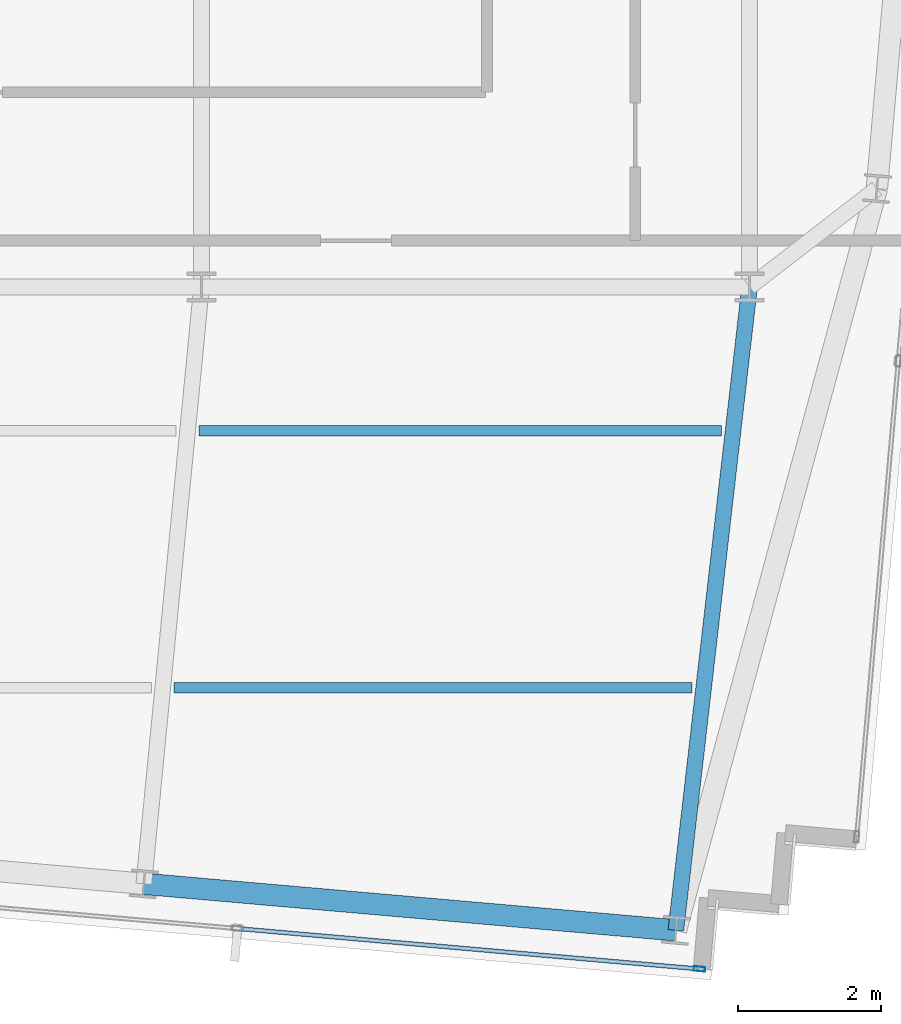
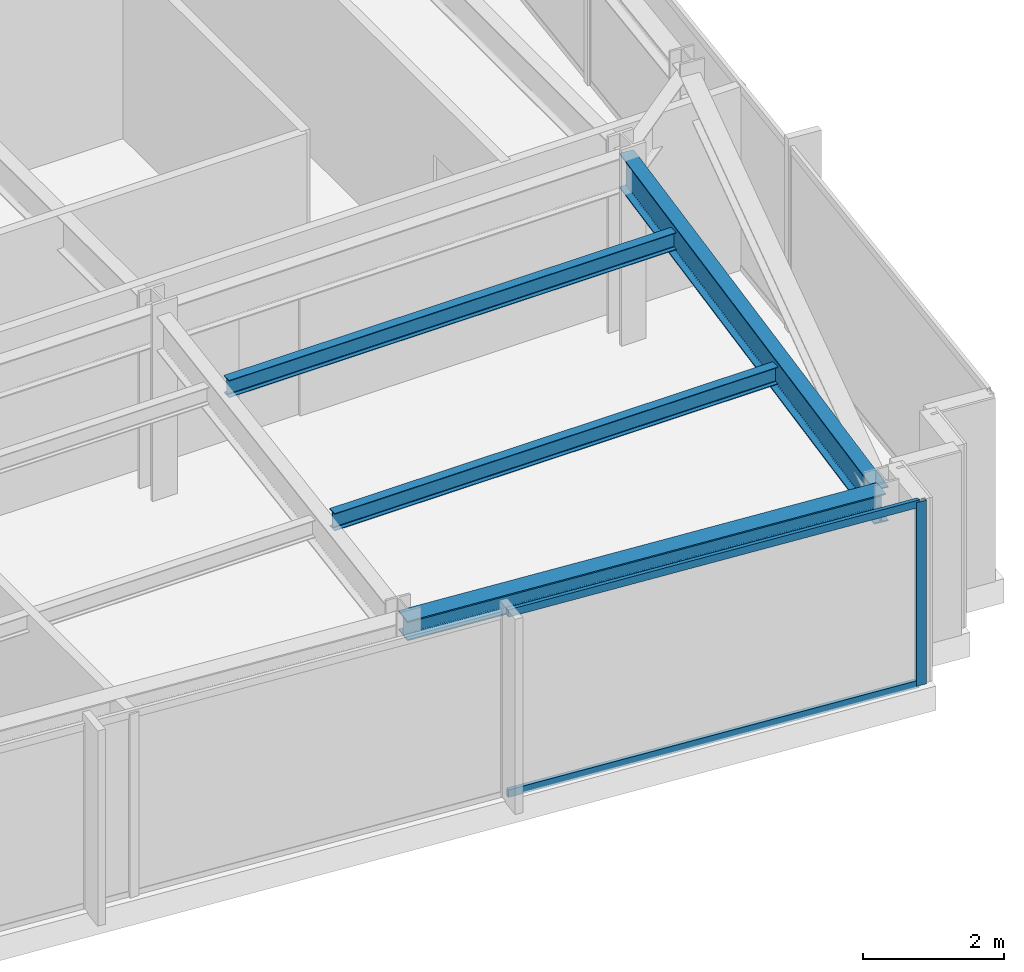
# One storey, part 14 of 32: 4 beams, 3 members, 1 element without a shape of its own.
"""IFC4 building model written with IfcOpenShell, lengths in metres."""

from ifc_helpers import new_model, si_unit, direction, frame, origin, origin_2d, place, context, subcontext, project, spatial, hollow_rectangle, i_section, extrude, material, material_profile, profile_set, type_object, element, aggregate, save


model = new_model("IFC4")

# Units and contexts
model_context = context("Model", 3, precision=1e-05, world=origin(), true_north=direction((0.0, 1.0)))
body_context = subcontext(model_context, "Body", "Model", "MODEL_VIEW")
ifc_project = project(units=[si_unit("LENGTHUNIT", "METRE"), si_unit("AREAUNIT", "SQUARE_METRE"), si_unit("VOLUMEUNIT", "CUBIC_METRE"), si_unit("PLANEANGLEUNIT", "RADIAN"), si_unit("MASSUNIT", "GRAM", prefix="KILO")], contexts=[model_context])

# Site, building, storey
site_placement = place(None, origin())
site = spatial("IfcSite", under=ifc_project, at=site_placement, CompositionType="ELEMENT")
building_placement = place(site_placement, origin())
building = spatial("IfcBuilding", under=site, at=building_placement, Name="Yelkora Congress Tower", CompositionType="ELEMENT")
storey_placement = place(building_placement, frame((0.0, 0.0, 259.10009765625)))
storey = spatial("IfcBuildingStorey", under=building, at=storey_placement, Name="L72", CompositionType="ELEMENT", Elevation=259.10009765625)

# Beams
ifc_material_1 = material(Name="Steel S355J2", Category="steel")
ifc_material_profile_1 = material_profile(ifc_material_1, i_section(OverallWidth=0.219970703125, OverallDepth=0.60009765625, WebThickness=0.011962890625, FlangeThickness=0.01904296875, FilletRadius=0.02392578125, at=origin_2d()), Name="IPE 600")
ifc_profile_set_1 = profile_set([ifc_material_profile_1], Name="Steel S355J2")
beam_type_1 = type_object("IfcBeamType", Name="BM-GIRD-IPE600", PredefinedType="BEAM", material=ifc_profile_set_1)
beam_1_placement = place(storey_placement, frame((52.727294921875, 16.1845703125, 2.8798828125), z_axis=(0.113806093355, 0.993502980929, 0.0), x_axis=(-0.993502980929, 0.113806093355, 0.0)))
element("IfcBeam", 1, at=beam_1_placement, inside=storey, type_object=beam_type_1, Name="L72 Primary Frame Girder S07", PredefinedType="BEAM", context=body_context, shape_type="SweptSolid", body=[
    extrude(i_section(OverallWidth=0.219970703125, OverallDepth=0.60009765625, WebThickness=0.011962890625, FlangeThickness=0.01904296875, FilletRadius=0.02392578125, at=origin_2d()), origin(), (0.0, 0.0, 1.0), 9.07421875),
])
ifc_material_profile_2 = material_profile(ifc_material_1, i_section(OverallWidth=0.14990234375, OverallDepth=0.300048828125, WebThickness=0.007080078125, FlangeThickness=0.0107421875, FilletRadius=0.014892578125, at=origin_2d()), Name="IPE 300")
ifc_profile_set_2 = profile_set([ifc_material_profile_2], Name="Steel S355J2")
beam_type_2 = type_object("IfcBeamType", Name="BM-JOIST-IPE300", PredefinedType="JOIST", material=ifc_profile_set_2)
beam_2_placement = place(storey_placement, frame((45.69775390625, 19.58447265625, 3.02978515625), z_axis=(1.0, 0.0, 0.0), x_axis=(0.0, 1.0, 0.0)))
element("IfcBeam", 2, at=beam_2_placement, inside=storey, type_object=beam_type_2, Name="L72 Composite Floor Joist 4", PredefinedType="JOIST", context=body_context, shape_type="SweptSolid", body=[
    extrude(i_section(OverallWidth=0.14990234375, OverallDepth=0.300048828125, WebThickness=0.007080078125, FlangeThickness=0.0107421875, FilletRadius=0.014892578125, at=origin_2d()), origin(), (0.0, 0.0, 1.0), 7.259033203125),
])
beam_3_placement = place(storey_placement, frame((46.04541015625, 23.1845703125, 3.02978515625), z_axis=(1.0, 0.0, 0.0), x_axis=(0.0, 1.0, 0.0)))
element("IfcBeam", 3, at=beam_3_placement, inside=storey, type_object=beam_type_2, Name="L72 Composite Floor Joist 8", PredefinedType="JOIST", context=body_context, shape_type="SweptSolid", body=[
    extrude(i_section(OverallWidth=0.14990234375, OverallDepth=0.300048828125, WebThickness=0.007080078125, FlangeThickness=0.0107421875, FilletRadius=0.014892578125, at=origin_2d()), origin(), (0.0, 0.0, 1.0), 7.32373046875),
])
ifc_material_profile_3 = material_profile(ifc_material_1, i_section(OverallWidth=0.300048828125, OverallDepth=0.340087890625, WebThickness=0.011962890625, FlangeThickness=0.021484375, FilletRadius=0.027099609375, at=origin_2d()), Name="HEB 340")
ifc_profile_set_3 = profile_set([ifc_material_profile_3], Name="Steel S355J2")
beam_type_3 = type_object("IfcBeamType", Name="BM-SPAN-HEB340", PredefinedType="SPANDREL", material=ifc_profile_set_3)
beam_4_placement = place(storey_placement, frame((45.2724609375, 16.836669921875, 3.010009765625), z_axis=(0.99619601894, -0.087140644067, 0.0), x_axis=(0.087140644067, 0.99619601894, 0.0)))
element("IfcBeam", 4, at=beam_4_placement, inside=storey, type_object=beam_type_3, Name="L72 Perimeter Beam 6", PredefinedType="SPANDREL", context=body_context, shape_type="SweptSolid", body=[
    extrude(i_section(OverallWidth=0.300048828125, OverallDepth=0.340087890625, WebThickness=0.011962890625, FlangeThickness=0.021484375, FilletRadius=0.027099609375, at=origin_2d()), origin(), (0.0, 0.0, 1.0), 7.4833984375),
])

# Curtain wall, members
ifc_material_2 = material(Name="Anodised aluminium and insulated glass", Category="aluminium")
curtain_wall_type = type_object("IfcCurtainWallType", Name="CW-SYS-B5", PredefinedType="NOTDEFINED", material=ifc_material_2)
curtain_wall_placement = place(storey_placement, origin())
curtain_wall = element("IfcCurtainWall", 5, at=curtain_wall_placement, inside=storey, type_object=curtain_wall_type, Name="L72 Unitised Curtain Wall 20", PredefinedType="NOTDEFINED")
ifc_material_3 = material(Name="Anodised aluminium 6063-T6", Category="aluminium")
ifc_material_profile_4 = material_profile(ifc_material_3, hollow_rectangle(XDim=0.06494140625, YDim=0.159912109375, WallThickness=0.00390625, at=origin_2d()), Name="ALU 65x160x4")
ifc_profile_set_4 = profile_set([ifc_material_profile_4], Name="Anodised aluminium 6063-T6")
member_type_1 = type_object("IfcMemberType", Name="MEM-ML-B5", PredefinedType="MULLION", material=ifc_profile_set_4)
member_1_placement = place(storey_placement, frame((53.058837890625, 15.6435546875, 0.0), z_axis=(0.0, 0.0, 1.0), x_axis=(-0.087156829793, -0.996194602987, 0.0)))
member_1 = element("IfcMember", 6, at=member_1_placement, type_object=member_type_1, Name="CW-B5 mullion 1", PredefinedType="MULLION", context=body_context, shape_type="SweptSolid", body=[
    extrude(hollow_rectangle(XDim=0.06494140625, YDim=0.159912109375, WallThickness=0.00390625, at=origin_2d()), origin(), (0.0, 0.0, 1.0), 3.179931640625),
])
ifc_material_profile_5 = material_profile(ifc_material_3, hollow_rectangle(XDim=0.06005859375, YDim=0.1298828125, WallThickness=0.00390625, at=origin_2d()), Name="ALU 60x130x4")
ifc_profile_set_5 = profile_set([ifc_material_profile_5], Name="Anodised aluminium 6063-T6")
member_type_2 = type_object("IfcMemberType", Name="MEM-TR-B5", PredefinedType="USERDEFINED", material=ifc_profile_set_5)
member_2_placement = place(storey_placement, frame((53.0263671875, 15.646484375, 0.02978515625), z_axis=(-0.996197464696, 0.087124114537, 0.0), x_axis=(-0.087124114537, -0.996197464696, 0.0)))
member_2 = element("IfcMember", 7, at=member_2_placement, type_object=member_type_2, Name="CW-B5 transom 1.1", ObjectType="TRANSOM", PredefinedType="USERDEFINED", context=body_context, shape_type="SweptSolid", body=[
    extrude(hollow_rectangle(XDim=0.06005859375, YDim=0.1298828125, WallThickness=0.00390625, at=origin_2d()), origin(), (0.0, 0.0, 1.0), 6.433837890625),
])
member_3_placement = place(storey_placement, frame((53.0263671875, 15.646484375, 3.14990234375), z_axis=(-0.996197464696, 0.087124114537, 0.0), x_axis=(-0.087124114537, -0.996197464696, 0.0)))
member_3 = element("IfcMember", 8, at=member_3_placement, type_object=member_type_2, Name="CW-B5 transom 1.2", ObjectType="TRANSOM", PredefinedType="USERDEFINED", context=body_context, shape_type="SweptSolid", body=[
    extrude(hollow_rectangle(XDim=0.06005859375, YDim=0.1298828125, WallThickness=0.00390625, at=origin_2d()), origin(), (0.0, 0.0, 1.0), 6.433837890625),
])
aggregate(curtain_wall, [member_1, member_2, member_3])

save(model, "model.ifc")
